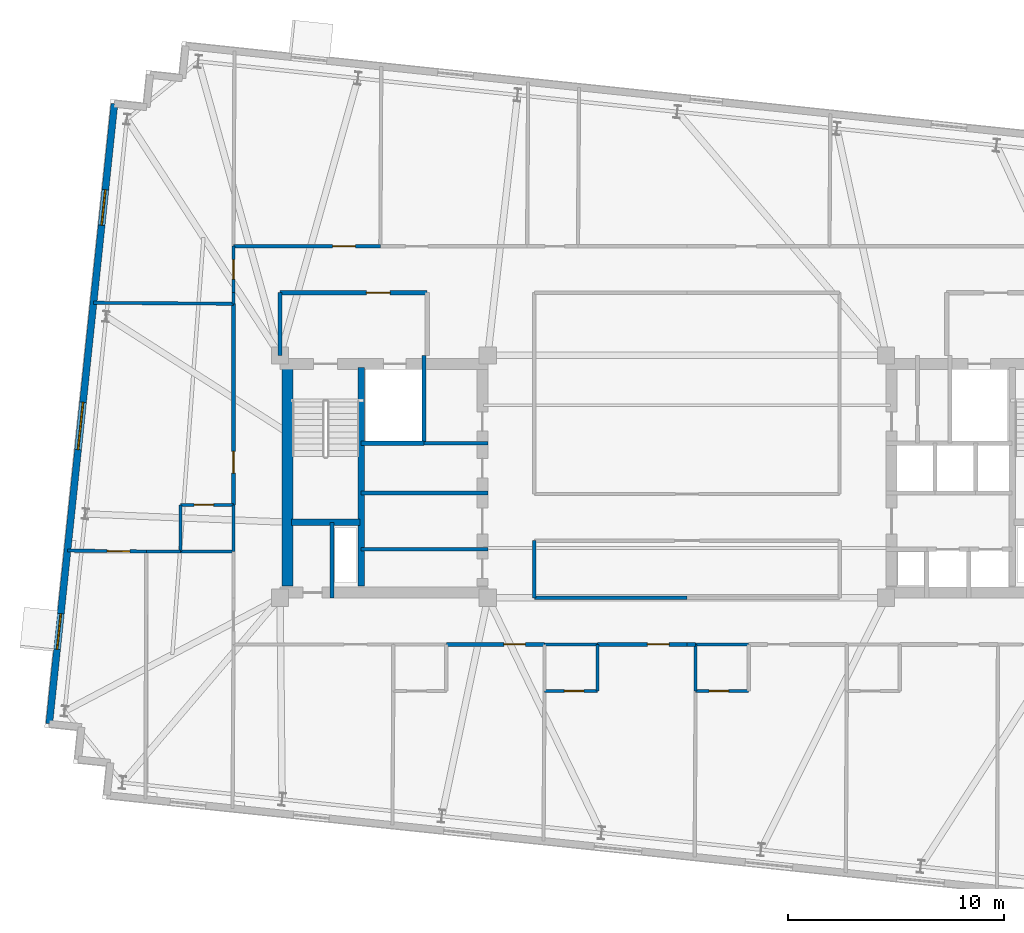
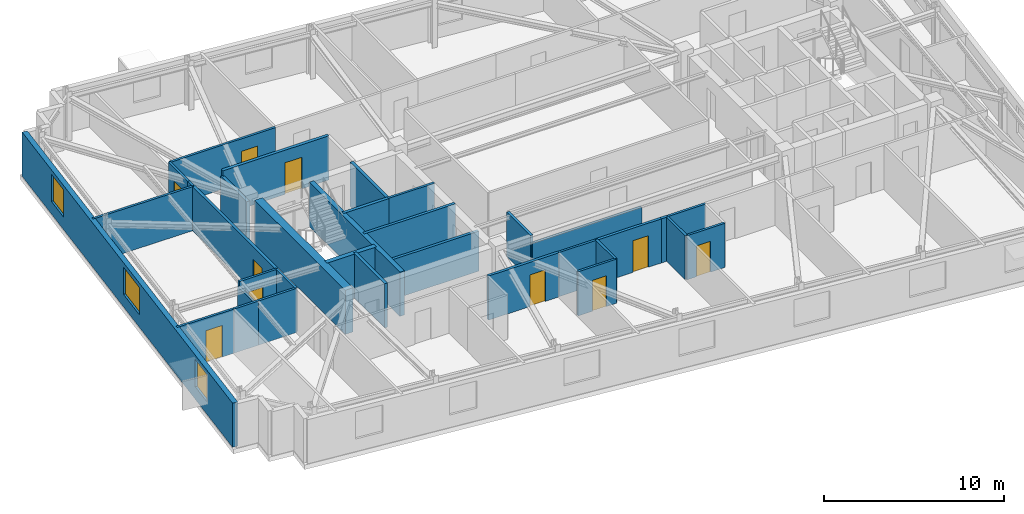
# One storey, part 6 of 11: 34 walls, 10 doors, 3 windows, 13 openings.
"""IFC4 building model written with IfcOpenShell, lengths in metres."""

from ifc_helpers import new_model, si_unit, direction, frame, frame_2d, origin, place, context, subcontext, project, spatial, rectangle, extrude, material, layer, layer_set, type_object, element, fill, save


model = new_model("IFC4")

# Units and contexts
model_context = context("Model", 3, precision=1e-05, world=origin(), true_north=direction((0.0, 1.0)))
body_context = subcontext(model_context, "Body", "Model", "MODEL_VIEW")
ifc_project = project(units=[si_unit("LENGTHUNIT", "METRE"), si_unit("AREAUNIT", "SQUARE_METRE"), si_unit("VOLUMEUNIT", "CUBIC_METRE"), si_unit("PLANEANGLEUNIT", "RADIAN"), si_unit("MASSUNIT", "GRAM", prefix="KILO")], contexts=[model_context])

# Site, building, storey
site_placement = place(None, origin())
site = spatial("IfcSite", under=ifc_project, at=site_placement, CompositionType="ELEMENT")
building_placement = place(site_placement, origin())
building = spatial("IfcBuilding", under=site, at=building_placement, Name="Qobustan Lattice House", CompositionType="ELEMENT")
storey_placement = place(building_placement, frame((0.0, 0.0, 219.85009765625)))
storey = spatial("IfcBuildingStorey", under=building, at=storey_placement, Name="L62", CompositionType="ELEMENT", Elevation=219.85009765625)

# Walls
ifc_material_1 = material(Name="Concrete C50/60", Category="concrete")
ifc_layer_1 = layer(ifc_material_1, 0.5)
ifc_layer_set_1 = layer_set([ifc_layer_1], Name="Concrete C50/60")
wall_type_1 = type_object("IfcWallType", Name="WAL-CORE-500", PredefinedType="SHEAR", material=ifc_layer_set_1)
wall_1_placement = place(storey_placement, frame((-18.4599609375, -5.050048828125, 0.0), z_axis=(0.0, 0.0, 1.0), x_axis=(0.0, 1.0, 0.0)))
element("IfcWall", 1, at=wall_1_placement, inside=storey, type_object=wall_type_1, Name="L62 split-core shear wall CW-W", PredefinedType="SHEAR", context=body_context, shape_type="SweptSolid", body=[
    extrude(rectangle(XDim=10.10009765625, YDim=0.5, at=frame_2d((5.050048828125, 0.0))), origin(), (0.0, 0.0, 1.0), 3.0),
])
ifc_material_2 = material(Name="Concrete C50/60", Category="concrete")
ifc_layer_2 = layer(ifc_material_2, 0.280029296875)
ifc_layer_set_2 = layer_set([ifc_layer_2], Name="Concrete C50/60")
wall_type_2 = type_object("IfcWallType", Name="WAL-CORE-SPINE-280", PredefinedType="SHEAR", material=ifc_layer_set_2)
wall_2_placement = place(storey_placement, frame((-15.050048828125, -5.050048828125, 0.0), z_axis=(0.0, 0.0, 1.0), x_axis=(0.0, 1.0, 0.0)))
element("IfcWall", 2, at=wall_2_placement, inside=storey, type_object=wall_type_2, Name="L62 split-core shear wall CW-M", PredefinedType="SHEAR", context=body_context, shape_type="SweptSolid", body=[
    extrude(rectangle(XDim=10.10009765625, YDim=0.300048828125, at=frame_2d((5.050048828125, 0.0))), origin(), (0.0, 0.0, 1.0), 3.0),
])
wall_3_placement = place(storey_placement, frame((-18.280029296875, -2.110107421875, 0.0), z_axis=(0.0, 0.0, 1.0), x_axis=(1.0, 0.0, 0.0)))
element("IfcWall", 3, at=wall_3_placement, inside=storey, type_object=wall_type_2, Name="L62 split-core shear wall CW-ST", PredefinedType="SHEAR", context=body_context, shape_type="SweptSolid", body=[
    extrude(rectangle(XDim=3.179931640625, YDim=0.300048828125, at=frame_2d((1.58984375, 0.0))), origin(), (0.0, 0.0, 1.0), 3.0),
])

# Wall, openings, windows
ifc_material_3 = material(Name="Precast concrete C40/50", Category="concrete")
ifc_layer_3 = layer(ifc_material_3, 0.320068359375)
ifc_layer_set_3 = layer_set([ifc_layer_3], Name="Precast concrete C40/50")
wall_type_3 = type_object("IfcWallType", Name="WAL-EXT-STONE-320", PredefinedType="SOLIDWALL", material=ifc_layer_set_3)
wall_4_placement = place(storey_placement, frame((-29.46337890625, -11.413818359375, 0.0), z_axis=(0.0, 0.0, 1.0), x_axis=(0.104530779244, 0.994521651947, 0.0)))
wall_4 = element("IfcWall", 4, at=wall_4_placement, inside=storey, type_object=wall_type_3, Name="L62 exterior limestone-clad wall 5", PredefinedType="SOLIDWALL", context=body_context, shape_type="SweptSolid", body=[
    extrude(rectangle(XDim=28.800048828125, YDim=0.320068359375, at=frame_2d((14.39990234375, 0.0))), origin(), (0.0, 0.0, 1.0), 3.0),
])
opening_1_placement = place(wall_4_placement, frame((3.466796875, 0.0, 0.85009765625)))
opening_1 = element("IfcOpeningElement", 5, at=opening_1_placement, cuts=wall_4, Name="Opening WN-09", PredefinedType="OPENING", context=body_context, shape_type="SweptSolid", body=[
    extrude(rectangle(XDim=1.64990234375, YDim=1.85009765625, at=frame_2d((0.824951171875, 0.925048828125))), frame((0.0, 0.169921875, 0.0), z_axis=(0.0, -1.0, 0.0), x_axis=(1.0, 0.0, 0.0)), (0.0, 0.0, 1.0), 0.340087890625),
])
opening_2_placement = place(wall_4_placement, frame((12.73828125, 0.0, 0.85009765625)))
opening_2 = element("IfcOpeningElement", 6, at=opening_2_placement, cuts=wall_4, Name="Opening WN-03", PredefinedType="OPENING", context=body_context, shape_type="SweptSolid", body=[
    extrude(rectangle(XDim=2.199951171875, YDim=1.85009765625, at=frame_2d((1.10009765625, 0.925048828125))), frame((0.0, 0.169921875, 0.0), z_axis=(0.0, -1.0, 0.0), x_axis=(1.0, 0.0, 0.0)), (0.0, 0.0, 1.0), 0.340087890625),
])
opening_3_placement = place(wall_4_placement, frame((23.16162109375, 0.0, 0.85009765625)))
opening_3 = element("IfcOpeningElement", 7, at=opening_3_placement, cuts=wall_4, Name="Opening WN-09", PredefinedType="OPENING", context=body_context, shape_type="SweptSolid", body=[
    extrude(rectangle(XDim=1.64990234375, YDim=1.85009765625, at=frame_2d((0.824951171875, 0.925048828125))), frame((0.0, 0.169921875, 0.0), z_axis=(0.0, -1.0, 0.0), x_axis=(1.0, 0.0, 0.0)), (0.0, 0.0, 1.0), 0.340087890625),
])
ifc_material_4 = material(Name="Double-glazed low-E aluminium window", Category="aluminium")
window_type_1 = type_object("IfcWindowType", Name="WIN-STU-1650x1850", PartitioningType="SINGLE_PANEL", PredefinedType="WINDOW", material=ifc_material_4)
window_1_placement = place(opening_1_placement, origin())
window_1 = element("IfcWindow", 8, at=window_1_placement, inside=storey, type_object=window_type_1, Name="L62 Focus study room W1A window", OverallHeight=1.85009765625, OverallWidth=1.64990234375, PartitioningType="SINGLE_PANEL", PredefinedType="WINDOW", context=body_context, shape_type="SweptSolid", body=[
    extrude(rectangle(XDim=1.64990234375, YDim=1.85009765625, at=frame_2d((0.824951171875, 0.925048828125))), frame((0.0, 0.030029296875, 0.0), z_axis=(0.0, -1.0, 0.0), x_axis=(1.0, 0.0, 0.0)), (0.0, 0.0, 1.0), 0.06005859375),
])
fill(opening_1, window_1)
window_2_placement = place(opening_3_placement, origin())
window_2 = element("IfcWindow", 9, at=window_2_placement, inside=storey, type_object=window_type_1, Name="L62 Focus study room W3 window", OverallHeight=1.85009765625, OverallWidth=1.64990234375, PartitioningType="SINGLE_PANEL", PredefinedType="WINDOW", context=body_context, shape_type="SweptSolid", body=[
    extrude(rectangle(XDim=1.64990234375, YDim=1.85009765625, at=frame_2d((0.824951171875, 0.925048828125))), frame((0.0, 0.030029296875, 0.0), z_axis=(0.0, -1.0, 0.0), x_axis=(1.0, 0.0, 0.0)), (0.0, 0.0, 1.0), 0.06005859375),
])
fill(opening_3, window_2)
ifc_material_5 = material(Name="Double-glazed low-E aluminium window", Category="aluminium")
window_type_2 = type_object("IfcWindowType", Name="WIN-WIDE-2200x1850", PartitioningType="SINGLE_PANEL", PredefinedType="WINDOW", material=ifc_material_5)
window_3_placement = place(opening_2_placement, origin())
window_3 = element("IfcWindow", 10, at=window_3_placement, inside=storey, type_object=window_type_2, Name="L62 Kitchenette and studio apartment L62-W2 window", OverallHeight=1.85009765625, OverallWidth=2.199951171875, PartitioningType="SINGLE_PANEL", PredefinedType="WINDOW", context=body_context, shape_type="SweptSolid", body=[
    extrude(rectangle(XDim=2.199951171875, YDim=1.85009765625, at=frame_2d((1.10009765625, 0.925048828125))), frame((0.0, 0.030029296875, 0.0), z_axis=(0.0, -1.0, 0.0), x_axis=(1.0, 0.0, 0.0)), (0.0, 0.0, 1.0), 0.06005859375),
])
fill(opening_2, window_3)

# Walls
ifc_material_6 = material(Name="Gypsum fireboard acoustic partition", Category="gypsum")
ifc_layer_4 = layer(ifc_material_6, 0.179931640625)
ifc_layer_set_4 = layer_set([ifc_layer_4], Name="Gypsum fireboard acoustic partition")
wall_type_4 = type_object("IfcWallType", Name="WAL-FIRE-180", PredefinedType="PARTITIONING", material=ifc_layer_set_4)
wall_5_placement = place(storey_placement, frame((-15.050048828125, -3.35009765625, 0.0), z_axis=(0.0, 0.0, 1.0), x_axis=(1.0, 0.0, 0.0)))
element("IfcWall", 11, at=wall_5_placement, inside=storey, type_object=wall_type_4, Name="L62 interior partition 8", PredefinedType="PARTITIONING", context=body_context, shape_type="SweptSolid", body=[
    extrude(rectangle(XDim=5.85009765625, YDim=0.179931640625, at=frame_2d((2.925048828125, 0.0))), origin(), (0.0, 0.0, 1.0), 2.71484375),
])
wall_6_placement = place(storey_placement, frame((-9.199951171875, -0.75, 0.0), z_axis=(0.0, 0.0, 1.0), x_axis=(-1.0, 0.0, 0.0)))
element("IfcWall", 12, at=wall_6_placement, inside=storey, type_object=wall_type_4, Name="L62 interior partition 9", PredefinedType="PARTITIONING", context=body_context, shape_type="SweptSolid", body=[
    extrude(rectangle(XDim=5.85009765625, YDim=0.179931640625, at=frame_2d((2.925048828125, 0.0))), origin(), (0.0, 0.0, 1.0), 3.0),
])

# Wall, opening, door
wall_7_placement = place(storey_placement, frame((-6.5830078125, -7.75, 0.0), z_axis=(0.0, 0.0, 1.0), x_axis=(-1.0, 0.0, 0.0)))
wall_7 = element("IfcWall", 13, at=wall_7_placement, inside=storey, type_object=wall_type_4, Name="L62 interior partition 43", PredefinedType="PARTITIONING", context=body_context, shape_type="SweptSolid", body=[
    extrude(rectangle(XDim=4.533935546875, YDim=0.179931640625, at=frame_2d((2.26708984375, 0.0))), origin(), (0.0, 0.0, 1.0), 3.0),
])
opening_4_placement = place(wall_7_placement, frame((0.876708984375, 0.0, 0.0)))
opening_4 = element("IfcOpeningElement", 14, at=opening_4_placement, cuts=wall_7, Name="Opening FD-02", PredefinedType="OPENING", context=body_context, shape_type="SweptSolid", body=[
    extrude(rectangle(XDim=1.0, YDim=2.14990234375, at=frame_2d((0.5, 1.074951171875))), frame((0.0, 0.099853515625, 0.0), z_axis=(0.0, -1.0, 0.0), x_axis=(1.0, 0.0, 0.0)), (0.0, 0.0, 1.0), 0.199951171875),
])
ifc_material_7 = material(Name="Persian walnut timber and steel frame door", Category="steel")
door_type_1 = type_object("IfcDoorType", Name="DOR-UNIT-FD-1000x2150", OperationType="NOTDEFINED", PredefinedType="DOOR", material=ifc_material_7)
door_1_placement = place(opening_4_placement, origin())
door_1 = element("IfcDoor", 15, at=door_1_placement, inside=storey, type_object=door_type_1, Name="L62 South-west floor corridor to Kitchenette and studio apartment L62-S2 door", OperationType="SINGLE_SWING_LEFT", OverallHeight=2.14990234375, OverallWidth=1.0, PredefinedType="DOOR", context=body_context, shape_type="SweptSolid", body=[
    extrude(rectangle(XDim=1.0, YDim=2.14990234375, at=frame_2d((0.5, 1.074951171875))), frame((0.0, 0.02490234375, 0.0), z_axis=(0.0, -1.0, 0.0), x_axis=(1.0, 0.0, 0.0)), (0.0, 0.0, 1.0), 0.050048828125),
])
fill(opening_4, door_1)

wall_8_placement = place(storey_placement, frame((0.0, -7.75, 0.0), z_axis=(0.0, 0.0, 1.0), x_axis=(-1.0, 0.0, 0.0)))
wall_8 = element("IfcWall", 16, at=wall_8_placement, inside=storey, type_object=wall_type_4, Name="L62 interior partition 45", PredefinedType="PARTITIONING", context=body_context, shape_type="SweptSolid", body=[
    extrude(rectangle(XDim=4.133056640625, YDim=0.179931640625, at=frame_2d((2.06640625, 0.0))), origin(), (0.0, 0.0, 1.0), 3.0),
])
opening_5_placement = place(wall_8_placement, frame((0.82666015625, 0.0, 0.0)))
opening_5 = element("IfcOpeningElement", 17, at=opening_5_placement, cuts=wall_8, Name="Opening FD-02", PredefinedType="OPENING", context=body_context, shape_type="SweptSolid", body=[
    extrude(rectangle(XDim=1.0, YDim=2.14990234375, at=frame_2d((0.5, 1.074951171875))), frame((0.0, 0.099853515625, 0.0), z_axis=(0.0, -1.0, 0.0), x_axis=(1.0, 0.0, 0.0)), (0.0, 0.0, 1.0), 0.199951171875),
])
door_2_placement = place(opening_5_placement, origin())
door_2 = element("IfcDoor", 18, at=door_2_placement, inside=storey, type_object=door_type_1, Name="L62 South-west floor corridor to Kitchenette and studio apartment L62-S3 door", OperationType="SINGLE_SWING_RIGHT", OverallHeight=2.14990234375, OverallWidth=1.0, PredefinedType="DOOR", context=body_context, shape_type="SweptSolid", body=[
    extrude(rectangle(XDim=1.0, YDim=2.14990234375, at=frame_2d((0.5, 1.074951171875))), frame((0.0, 0.02490234375, 0.0), z_axis=(0.0, -1.0, 0.0), x_axis=(1.0, 0.0, 0.0)), (0.0, 0.0, 1.0), 0.050048828125),
])
fill(opening_5, door_2)

# Wall
wall_9_placement = place(storey_placement, frame((0.39990234375, -7.75, 0.0), z_axis=(0.0, 0.0, 1.0), x_axis=(-1.0, 0.0, 0.0)))
element("IfcWall", 19, at=wall_9_placement, inside=storey, type_object=wall_type_4, Name="L62 interior partition 49", PredefinedType="PARTITIONING", context=body_context, shape_type="SweptSolid", body=[
    extrude(rectangle(XDim=0.39990234375, YDim=0.179931640625, at=frame_2d((0.199951171875, 0.0))), origin(), (0.0, 0.0, 1.0), 3.0),
])

# Wall, opening, door
wall_10_placement = place(storey_placement, frame((-20.949951171875, -1.305908203125, 0.0), z_axis=(0.0, 0.0, 1.0), x_axis=(0.0, 1.0, 0.0)))
wall_10 = element("IfcWall", 20, at=wall_10_placement, inside=storey, type_object=wall_type_4, Name="L62 interior partition 57", PredefinedType="PARTITIONING", context=body_context, shape_type="SweptSolid", body=[
    extrude(rectangle(XDim=9.2958984375, YDim=0.179931640625, at=frame_2d((4.64794921875, 0.0))), origin(), (0.0, 0.0, 1.0), 3.0),
])
opening_6_placement = place(wall_10_placement, frame((1.471923828125, 0.0, 0.0)))
opening_6 = element("IfcOpeningElement", 21, at=opening_6_placement, cuts=wall_10, Name="Opening FD-02", PredefinedType="OPENING", context=body_context, shape_type="SweptSolid", body=[
    extrude(rectangle(XDim=1.0, YDim=2.14990234375, at=frame_2d((0.5, 1.074951171875))), frame((0.0, 0.099853515625, 0.0), z_axis=(0.0, -1.0, 0.0), x_axis=(1.0, 0.0, 0.0)), (0.0, 0.0, 1.0), 0.199951171875),
])
door_3_placement = place(opening_6_placement, origin())
door_3 = element("IfcDoor", 22, at=door_3_placement, inside=storey, type_object=door_type_1, Name="L62 West wing spine gallery to Kitchenette and studio apartment L62-W2 door", OperationType="SINGLE_SWING_RIGHT", OverallHeight=2.14990234375, OverallWidth=1.0, PredefinedType="DOOR", context=body_context, shape_type="SweptSolid", body=[
    extrude(rectangle(XDim=1.0, YDim=2.14990234375, at=frame_2d((0.5, 1.074951171875))), frame((0.0, 0.02490234375, 0.0), z_axis=(0.0, -1.0, 0.0), x_axis=(1.0, 0.0, 0.0)), (0.0, 0.0, 1.0), 0.050048828125),
])
fill(opening_6, door_3)

# Wall
ifc_material_8 = material(Name="Acoustic twin-stud gypsum partition", Category="gypsum")
ifc_layer_5 = layer(ifc_material_8, 0.14990234375)
ifc_layer_set_5 = layer_set([ifc_layer_5], Name="Acoustic twin-stud gypsum partition")
wall_type_5 = type_object("IfcWallType", Name="WAL-PART-150", PredefinedType="PARTITIONING", material=ifc_layer_set_5)
wall_11_placement = place(storey_placement, frame((-12.14990234375, 1.550048828125, 0.0), z_axis=(0.0, 0.0, 1.0), x_axis=(1.0, 0.0, 0.0)))
element("IfcWall", 23, at=wall_11_placement, inside=storey, type_object=wall_type_5, Name="L62 interior partition 6", PredefinedType="PARTITIONING", context=body_context, shape_type="SweptSolid", body=[
    extrude(rectangle(XDim=2.949951171875, YDim=0.14990234375, at=frame_2d((1.47509765625, 0.0))), origin(), (0.0, 0.0, 1.0), 3.0),
])

# Wall, opening, door
wall_12_placement = place(storey_placement, frame((-20.949951171875, 8.5, 0.0), z_axis=(0.0, 0.0, 1.0), x_axis=(0.0, 1.0, 0.0)))
wall_12 = element("IfcWall", 24, at=wall_12_placement, inside=storey, type_object=wall_type_5, Name="L62 interior partition 31", PredefinedType="PARTITIONING", context=body_context, shape_type="SweptSolid", body=[
    extrude(rectangle(XDim=2.14990234375, YDim=0.14990234375, at=frame_2d((1.074951171875, 0.0))), origin(), (0.0, 0.0, 1.0), 3.0),
])
opening_7_placement = place(wall_12_placement, frame((0.625, 0.0, 0.0)))
opening_7 = element("IfcOpeningElement", 25, at=opening_7_placement, cuts=wall_12, Name="Opening WD-01", PredefinedType="OPENING", context=body_context, shape_type="SweptSolid", body=[
    extrude(rectangle(XDim=0.89990234375, YDim=2.10009765625, at=frame_2d((0.449951171875, 1.050048828125))), frame((0.0, 0.0849609375, 0.0), z_axis=(0.0, -1.0, 0.0), x_axis=(1.0, 0.0, 0.0)), (0.0, 0.0, 1.0), 0.169921875),
])
ifc_material_9 = material(Name="Persian walnut timber and steel frame door", Category="steel")
door_type_2 = type_object("IfcDoorType", Name="DOR-WET-900x2100", OperationType="NOTDEFINED", PredefinedType="DOOR", material=ifc_material_9)
door_4_placement = place(opening_7_placement, origin())
door_4 = element("IfcDoor", 26, at=door_4_placement, inside=storey, type_object=door_type_2, Name="L62 North-west floor corridor to Focus study room W3 door", OperationType="SINGLE_SWING_LEFT", OverallHeight=2.10009765625, OverallWidth=0.89990234375, PredefinedType="DOOR", context=body_context, shape_type="SweptSolid", body=[
    extrude(rectangle(XDim=0.89990234375, YDim=2.10009765625, at=frame_2d((0.449951171875, 1.050048828125))), frame((0.0, 0.02490234375, 0.0), z_axis=(0.0, -1.0, 0.0), x_axis=(1.0, 0.0, 0.0)), (0.0, 0.0, 1.0), 0.050048828125),
])
fill(opening_7, door_4)

wall_13_placement = place(storey_placement, frame((-20.949951171875, 10.64990234375, 0.0), z_axis=(0.0, 0.0, 1.0), x_axis=(1.0, 0.0, 0.0)))
wall_13 = element("IfcWall", 27, at=wall_13_placement, inside=storey, type_object=wall_type_5, Name="L62 interior partition 32", PredefinedType="PARTITIONING", context=body_context, shape_type="SweptSolid", body=[
    extrude(rectangle(XDim=6.783447265625, YDim=0.14990234375, at=frame_2d((3.3916015625, 0.0))), origin(), (0.0, 0.0, 1.0), 3.0),
])
opening_8_placement = place(wall_13_placement, frame((4.581787109375, 0.0, 0.0)))
opening_8 = element("IfcOpeningElement", 28, at=opening_8_placement, cuts=wall_13, Name="Opening ID-02", PredefinedType="OPENING", context=body_context, shape_type="SweptSolid", body=[
    extrude(rectangle(XDim=1.050048828125, YDim=2.14990234375, at=frame_2d((0.52490234375, 1.074951171875))), frame((0.0, 0.0849609375, 0.0), z_axis=(0.0, -1.0, 0.0), x_axis=(1.0, 0.0, 0.0)), (0.0, 0.0, 1.0), 0.169921875),
])
ifc_material_10 = material(Name="Persian walnut timber and steel frame door", Category="steel")
door_type_3 = type_object("IfcDoorType", Name="DOR-STUDY-1050x2150", OperationType="NOTDEFINED", PredefinedType="DOOR", material=ifc_material_10)
door_5_placement = place(opening_8_placement, origin())
door_5 = element("IfcDoor", 29, at=door_5_placement, inside=storey, type_object=door_type_3, Name="L62 North-west floor corridor to Focus study room N1A door", OperationType="SINGLE_SWING_RIGHT", OverallHeight=2.14990234375, OverallWidth=1.050048828125, PredefinedType="DOOR", context=body_context, shape_type="SweptSolid", body=[
    extrude(rectangle(XDim=1.050048828125, YDim=2.14990234375, at=frame_2d((0.52490234375, 1.074951171875))), frame((0.0, 0.02490234375, 0.0), z_axis=(0.0, -1.0, 0.0), x_axis=(1.0, 0.0, 0.0)), (0.0, 0.0, 1.0), 0.050048828125),
])
fill(opening_8, door_5)

# Wall
wall_14_placement = place(storey_placement, frame((-20.949951171875, 7.989990234375, 0.0), z_axis=(0.0, 0.0, 1.0), x_axis=(0.0, 1.0, 0.0)))
element("IfcWall", 30, at=wall_14_placement, inside=storey, type_object=wall_type_5, Name="L62 interior partition 59", PredefinedType="PARTITIONING", context=body_context, shape_type="SweptSolid", body=[
    extrude(rectangle(XDim=0.510009765625, YDim=0.14990234375, at=frame_2d((0.2548828125, 0.0))), origin(), (0.0, 0.0, 1.0), 3.0),
])

# Wall, opening, door
wall_15_placement = place(storey_placement, frame((-28.622314453125, -3.412109375, 0.0), z_axis=(0.0, 0.0, 1.0), x_axis=(0.999927389555, -0.01205054433, 0.0)))
wall_15 = element("IfcWall", 31, at=wall_15_placement, inside=storey, type_object=wall_type_5, Name="L62 interior partition 69", PredefinedType="PARTITIONING", context=body_context, shape_type="SweptSolid", body=[
    extrude(rectangle(XDim=3.646728515625, YDim=0.14990234375, at=frame_2d((1.8232421875, 0.0))), origin(), (0.0, 0.0, 1.0), 3.0),
])
opening_9_placement = place(wall_15_placement, frame((1.837158203125, 0.0, 0.0)))
opening_9 = element("IfcOpeningElement", 32, at=opening_9_placement, cuts=wall_15, Name="Opening ID-02", PredefinedType="OPENING", context=body_context, shape_type="SweptSolid", body=[
    extrude(rectangle(XDim=1.050048828125, YDim=2.14990234375, at=frame_2d((0.52490234375, 1.074951171875))), frame((0.0, 0.0849609375, 0.0), z_axis=(0.0, -1.0, 0.0), x_axis=(1.0, 0.0, 0.0)), (0.0, 0.0, 1.0), 0.169921875),
])
door_6_placement = place(opening_9_placement, origin())
door_6 = element("IfcDoor", 33, at=door_6_placement, inside=storey, type_object=door_type_3, Name="L62 Focus study room W1A to Kitchenette and studio apartment L62-W2 door", OperationType="SINGLE_SWING_LEFT", OverallHeight=2.14990234375, OverallWidth=1.050048828125, PredefinedType="DOOR", context=body_context, shape_type="SweptSolid", body=[
    extrude(rectangle(XDim=1.050048828125, YDim=2.14990234375, at=frame_2d((0.52490234375, 1.074951171875))), frame((0.0, 0.02490234375, 0.0), z_axis=(0.0, -1.0, 0.0), x_axis=(1.0, 0.0, 0.0)), (0.0, 0.0, 1.0), 0.050048828125),
])
fill(opening_9, door_6)

# Walls
wall_16_placement = place(storey_placement, frame((-24.975830078125, -3.4560546875, 0.0), z_axis=(0.0, 0.0, 1.0), x_axis=(1.0, 0.0, 0.0)))
element("IfcWall", 34, at=wall_16_placement, inside=storey, type_object=wall_type_5, Name="L62 interior partition 70", PredefinedType="PARTITIONING", context=body_context, shape_type="SweptSolid", body=[
    extrude(rectangle(XDim=1.575927734375, YDim=0.14990234375, at=frame_2d((0.7880859375, 0.0))), origin(), (0.0, 0.0, 1.0), 3.0),
])
wall_17_placement = place(storey_placement, frame((-27.419189453125, 8.033935546875, 0.0), z_axis=(0.0, 0.0, 1.0), x_axis=(0.999976928608, -0.006792808784, 0.0)))
element("IfcWall", 35, at=wall_17_placement, inside=storey, type_object=wall_type_5, Name="L62 interior partition 75", PredefinedType="PARTITIONING", context=body_context, shape_type="SweptSolid", body=[
    extrude(rectangle(XDim=6.469482421875, YDim=0.14990234375, at=frame_2d((3.23486328125, 0.0))), origin(), (0.0, 0.0, 1.0), 3.0),
])
ifc_material_11 = material(Name="High-mass acoustic twin-stud partition", Category="gypsum")
ifc_layer_6 = layer(ifc_material_11, 0.1650390625)
ifc_layer_set_6 = layer_set([ifc_layer_6], Name="High-mass acoustic twin-stud partition")
wall_type_6 = type_object("IfcWallType", Name="WAL-PART-165", PredefinedType="PARTITIONING", material=ifc_layer_set_6)
wall_18_placement = place(storey_placement, frame((-7.050048828125, -5.60009765625, 0.0), z_axis=(0.0, 0.0, 1.0), x_axis=(1.0, 0.0, 0.0)))
element("IfcWall", 36, at=wall_18_placement, inside=storey, type_object=wall_type_6, Name="L62 interior partition 47", PredefinedType="PARTITIONING", context=body_context, shape_type="SweptSolid", body=[
    extrude(rectangle(XDim=7.050048828125, YDim=0.1650390625, at=frame_2d((3.52490234375, 0.0))), origin(), (0.0, 0.0, 1.0), 2.48486328125),
])
wall_19_placement = place(storey_placement, frame((-7.050048828125, -2.949951171875, 0.0), z_axis=(0.0, 0.0, 1.0), x_axis=(0.0, -1.0, 0.0)))
element("IfcWall", 37, at=wall_19_placement, inside=storey, type_object=wall_type_6, Name="L62 interior partition 65", PredefinedType="PARTITIONING", context=body_context, shape_type="SweptSolid", body=[
    extrude(rectangle(XDim=2.650146484375, YDim=0.1650390625, at=frame_2d((1.3251953125, 0.0))), origin(), (0.0, 0.0, 1.0), 3.0),
])

# Wall, opening, door
ifc_material_12 = material(Name="Two-hour gypsum fireboard acoustic partition", Category="gypsum")
ifc_layer_7 = layer(ifc_material_12, 0.199951171875)
ifc_layer_set_7 = layer_set([ifc_layer_7], Name="Two-hour gypsum fireboard acoustic partition")
wall_type_7 = type_object("IfcWallType", Name="WAL-PROT-200", PredefinedType="PARTITIONING", material=ifc_layer_set_7)
wall_20_placement = place(storey_placement, frame((-12.0, 8.5, 0.0), z_axis=(0.0, 0.0, 1.0), x_axis=(-1.0, 0.0, 0.0)))
wall_20 = element("IfcWall", 38, at=wall_20_placement, inside=storey, type_object=wall_type_7, Name="L62 interior partition 3", PredefinedType="PARTITIONING", context=body_context, shape_type="SweptSolid", body=[
    extrude(rectangle(XDim=6.800048828125, YDim=0.199951171875, at=frame_2d((3.39990234375, 0.0))), origin(), (0.0, 0.0, 1.0), 3.0),
])
opening_10_placement = place(wall_20_placement, frame((1.715087890625, 0.0, 0.0)))
opening_10 = element("IfcOpeningElement", 39, at=opening_10_placement, cuts=wall_20, Name="Opening SD-01", PredefinedType="OPENING", context=body_context, shape_type="SweptSolid", body=[
    extrude(rectangle(XDim=1.10009765625, YDim=2.14990234375, at=frame_2d((0.550048828125, 1.074951171875))), frame((0.0, 0.10986328125, 0.0), z_axis=(0.0, -1.0, 0.0), x_axis=(1.0, 0.0, 0.0)), (0.0, 0.0, 1.0), 0.219970703125),
])
ifc_material_13 = material(Name="Persian walnut timber and steel frame door", Category="steel")
door_type_4 = type_object("IfcDoorType", Name="DOR-STAIR-FD-1100x2150", OperationType="NOTDEFINED", PredefinedType="DOOR", material=ifc_material_13)
door_7_placement = place(opening_10_placement, origin())
door_7 = element("IfcDoor", 40, at=door_7_placement, inside=storey, type_object=door_type_4, Name="L62 West firefighting lift lobby to North-west floor corridor door", OperationType="SINGLE_SWING_RIGHT", OverallHeight=2.14990234375, OverallWidth=1.10009765625, PredefinedType="DOOR", context=body_context, shape_type="SweptSolid", body=[
    extrude(rectangle(XDim=1.10009765625, YDim=2.14990234375, at=frame_2d((0.550048828125, 1.074951171875))), frame((0.0, 0.02490234375, 0.0), z_axis=(0.0, -1.0, 0.0), x_axis=(1.0, 0.0, 0.0)), (0.0, 0.0, 1.0), 0.050048828125),
])
fill(opening_10, door_7)

# Walls
wall_21_placement = place(storey_placement, frame((-18.800048828125, 8.5, 0.0), z_axis=(0.0, 0.0, 1.0), x_axis=(0.0, -1.0, 0.0)))
element("IfcWall", 41, at=wall_21_placement, inside=storey, type_object=wall_type_7, Name="L62 interior partition 4", PredefinedType="PARTITIONING", context=body_context, shape_type="SweptSolid", body=[
    extrude(rectangle(XDim=2.89990234375, YDim=0.199951171875, at=frame_2d((1.449951171875, 0.0))), origin(), (0.0, 0.0, 1.0), 2.625),
])
ifc_material_14 = material(Name="Concrete C40/50", Category="concrete")
ifc_layer_8 = layer(ifc_material_14, 0.199951171875)
ifc_layer_set_8 = layer_set([ifc_layer_8], Name="Concrete C40/50")
wall_type_8 = type_object("IfcWallType", Name="WAL-SHAFT-200", PredefinedType="PARTITIONING", material=ifc_layer_set_8)
wall_22_placement = place(storey_placement, frame((-16.39990234375, -5.60009765625, 0.0), z_axis=(0.0, 0.0, 1.0), x_axis=(0.0, 1.0, 0.0)))
element("IfcWall", 42, at=wall_22_placement, inside=storey, type_object=wall_type_8, Name="L62 interior partition 1", PredefinedType="PARTITIONING", context=body_context, shape_type="SweptSolid", body=[
    extrude(rectangle(XDim=3.489990234375, YDim=0.199951171875, at=frame_2d((1.7451171875, 0.0))), origin(), (0.0, 0.0, 1.0), 3.0),
])
wall_23_placement = place(storey_placement, frame((-12.14990234375, 1.550048828125, 0.0), z_axis=(0.0, 0.0, 1.0), x_axis=(0.0, 1.0, 0.0)))
element("IfcWall", 43, at=wall_23_placement, inside=storey, type_object=wall_type_8, Name="L62 interior partition 2", PredefinedType="PARTITIONING", context=body_context, shape_type="SweptSolid", body=[
    extrude(rectangle(XDim=4.050048828125, YDim=0.199951171875, at=frame_2d((2.02490234375, 0.0))), origin(), (0.0, 0.0, 1.0), 3.0),
])
wall_24_placement = place(storey_placement, frame((-15.050048828125, 1.550048828125, 0.0), z_axis=(0.0, 0.0, 1.0), x_axis=(1.0, 0.0, 0.0)))
element("IfcWall", 44, at=wall_24_placement, inside=storey, type_object=wall_type_8, Name="L62 interior partition 101", PredefinedType="PARTITIONING", context=body_context, shape_type="SweptSolid", body=[
    extrude(rectangle(XDim=2.900146484375, YDim=0.199951171875, at=frame_2d((1.4501953125, 0.0))), origin(), (0.0, 0.0, 1.0), 3.0),
])
ifc_material_15 = material(Name="Moisture-resistant acoustic plumbing wall", Category="gypsum")
ifc_layer_9 = layer(ifc_material_15, 0.14990234375)
ifc_layer_set_9 = layer_set([ifc_layer_9], Name="Moisture-resistant acoustic plumbing wall")
wall_type_9 = type_object("IfcWallType", Name="WAL-WET-150", PredefinedType="PLUMBINGWALL", material=ifc_layer_set_9)
wall_25_placement = place(storey_placement, frame((-4.133056640625, -7.75, 0.0), z_axis=(0.0, 0.0, 1.0), x_axis=(-1.0, 0.0, 0.0)))
element("IfcWall", 45, at=wall_25_placement, inside=storey, type_object=wall_type_9, Name="L62 interior partition 46", PredefinedType="PLUMBINGWALL", context=body_context, shape_type="SweptSolid", body=[
    extrude(rectangle(XDim=2.449951171875, YDim=0.14990234375, at=frame_2d((1.22509765625, 0.0))), origin(), (0.0, 0.0, 1.0), 3.0),
])
wall_26_placement = place(storey_placement, frame((2.85009765625, -7.75, 0.0), z_axis=(0.0, 0.0, 1.0), x_axis=(-1.0, 0.0, 0.0)))
element("IfcWall", 46, at=wall_26_placement, inside=storey, type_object=wall_type_9, Name="L62 interior partition 51", PredefinedType="PLUMBINGWALL", context=body_context, shape_type="SweptSolid", body=[
    extrude(rectangle(XDim=2.4501953125, YDim=0.14990234375, at=frame_2d((1.22509765625, 0.0))), origin(), (0.0, 0.0, 1.0), 3.0),
])
wall_27_placement = place(storey_placement, frame((-20.949951171875, -3.4560546875, 0.0), z_axis=(0.0, 0.0, 1.0), x_axis=(0.0, 1.0, 0.0)))
element("IfcWall", 47, at=wall_27_placement, inside=storey, type_object=wall_type_9, Name="L62 interior partition 58", PredefinedType="PLUMBINGWALL", context=body_context, shape_type="SweptSolid", body=[
    extrude(rectangle(XDim=2.150146484375, YDim=0.14990234375, at=frame_2d((1.0751953125, 0.0))), origin(), (0.0, 0.0, 1.0), 3.0),
])
wall_28_placement = place(storey_placement, frame((-23.39990234375, -3.4560546875, 0.0), z_axis=(0.0, 0.0, 1.0), x_axis=(1.0, 0.0, 0.0)))
element("IfcWall", 48, at=wall_28_placement, inside=storey, type_object=wall_type_9, Name="L62 interior partition 71", PredefinedType="PLUMBINGWALL", context=body_context, shape_type="SweptSolid", body=[
    extrude(rectangle(XDim=2.449951171875, YDim=0.14990234375, at=frame_2d((1.22509765625, 0.0))), origin(), (0.0, 0.0, 1.0), 3.0),
])

# Wall, opening, door
wall_29_placement = place(storey_placement, frame((-20.949951171875, -1.305908203125, 0.0), z_axis=(0.0, 0.0, 1.0), x_axis=(-1.0, 0.0, 0.0)))
wall_29 = element("IfcWall", 49, at=wall_29_placement, inside=storey, type_object=wall_type_9, Name="L62 interior partition 73", PredefinedType="PLUMBINGWALL", context=body_context, shape_type="SweptSolid", body=[
    extrude(rectangle(XDim=2.449951171875, YDim=0.14990234375, at=frame_2d((1.22509765625, 0.0))), origin(), (0.0, 0.0, 1.0), 3.0),
])
opening_11_placement = place(wall_29_placement, frame((0.921142578125, 0.0, 0.0)))
opening_11 = element("IfcOpeningElement", 50, at=opening_11_placement, cuts=wall_29, Name="Opening WD-01", PredefinedType="OPENING", context=body_context, shape_type="SweptSolid", body=[
    extrude(rectangle(XDim=0.89990234375, YDim=2.10009765625, at=frame_2d((0.449951171875, 1.050048828125))), frame((0.0, 0.0849609375, 0.0), z_axis=(0.0, -1.0, 0.0), x_axis=(1.0, 0.0, 0.0)), (0.0, 0.0, 1.0), 0.169921875),
])
door_8_placement = place(opening_11_placement, origin())
door_8 = element("IfcDoor", 51, at=door_8_placement, inside=storey, type_object=door_type_2, Name="L62 Kitchenette and studio apartment L62-W2 to En-suite bathroom L62-W2 door", OperationType="SINGLE_SWING_RIGHT", OverallHeight=2.10009765625, OverallWidth=0.89990234375, PredefinedType="DOOR", context=body_context, shape_type="SweptSolid", body=[
    extrude(rectangle(XDim=0.89990234375, YDim=2.10009765625, at=frame_2d((0.449951171875, 1.050048828125))), frame((0.0, 0.02490234375, 0.0), z_axis=(0.0, -1.0, 0.0), x_axis=(1.0, 0.0, 0.0)), (0.0, 0.0, 1.0), 0.050048828125),
])
fill(opening_11, door_8)

# Wall
wall_30_placement = place(storey_placement, frame((-23.39990234375, -1.305908203125, 0.0), z_axis=(0.0, 0.0, 1.0), x_axis=(0.0, -1.0, 0.0)))
element("IfcWall", 52, at=wall_30_placement, inside=storey, type_object=wall_type_9, Name="L62 interior partition 74", PredefinedType="PLUMBINGWALL", context=body_context, shape_type="SweptSolid", body=[
    extrude(rectangle(XDim=2.150146484375, YDim=0.14990234375, at=frame_2d((1.0751953125, 0.0))), origin(), (0.0, 0.0, 1.0), 2.65478515625),
])

# Wall, opening, door
wall_31_placement = place(storey_placement, frame((-6.5830078125, -9.89990234375, 0.0), z_axis=(0.0, 0.0, 1.0), x_axis=(1.0, 0.0, 0.0)))
wall_31 = element("IfcWall", 53, at=wall_31_placement, inside=storey, type_object=wall_type_9, Name="L62 interior partition 90", PredefinedType="PLUMBINGWALL", context=body_context, shape_type="SweptSolid", body=[
    extrude(rectangle(XDim=2.449951171875, YDim=0.14990234375, at=frame_2d((1.22509765625, 0.0))), origin(), (0.0, 0.0, 1.0), 3.0),
])
opening_12_placement = place(wall_31_placement, frame((0.92138671875, 0.0, 0.0)))
opening_12 = element("IfcOpeningElement", 54, at=opening_12_placement, cuts=wall_31, Name="Opening WD-01", PredefinedType="OPENING", context=body_context, shape_type="SweptSolid", body=[
    extrude(rectangle(XDim=0.89990234375, YDim=2.10009765625, at=frame_2d((0.449951171875, 1.050048828125))), frame((0.0, 0.0849609375, 0.0), z_axis=(0.0, -1.0, 0.0), x_axis=(1.0, 0.0, 0.0)), (0.0, 0.0, 1.0), 0.169921875),
])
door_9_placement = place(opening_12_placement, origin())
door_9 = element("IfcDoor", 55, at=door_9_placement, inside=storey, type_object=door_type_2, Name="L62 Kitchenette and studio apartment L62-S3 to En-suite bathroom L62-S3 door", OperationType="SINGLE_SWING_RIGHT", OverallHeight=2.10009765625, OverallWidth=0.89990234375, PredefinedType="DOOR", context=body_context, shape_type="SweptSolid", body=[
    extrude(rectangle(XDim=0.89990234375, YDim=2.10009765625, at=frame_2d((0.449951171875, 1.050048828125))), frame((0.0, 0.02490234375, 0.0), z_axis=(0.0, -1.0, 0.0), x_axis=(1.0, 0.0, 0.0)), (0.0, 0.0, 1.0), 0.050048828125),
])
fill(opening_12, door_9)

# Walls
for number, where, z_axis, x_axis, name in (
    (56, (-4.133056640625, -9.89990234375, 0.0), (0.0, 0.0, 1.0), (0.0, 1.0, 0.0), "L62 interior partition 91"),
    (57, (0.39990234375, -7.75, 0.0), (0.0, 0.0, 1.0), (0.0, -1.0, 0.0), "L62 interior partition 93"),
):
    element("IfcWall", number, at=place(storey_placement, frame(where, z_axis=z_axis, x_axis=x_axis)), inside=storey, type_object=wall_type_9, Name=name, PredefinedType="PLUMBINGWALL", context=body_context, shape_type="SweptSolid", body=[
        extrude(rectangle(XDim=2.14990234375, YDim=0.14990234375, at=frame_2d((1.074951171875, 0.0))), origin(), (0.0, 0.0, 1.0), 3.0),
    ])

# Wall, opening, door
wall_32_placement = place(storey_placement, frame((0.39990234375, -9.89990234375, 0.0), z_axis=(0.0, 0.0, 1.0), x_axis=(1.0, 0.0, 0.0)))
wall_32 = element("IfcWall", 58, at=wall_32_placement, inside=storey, type_object=wall_type_9, Name="L62 interior partition 94", PredefinedType="PLUMBINGWALL", context=body_context, shape_type="SweptSolid", body=[
    extrude(rectangle(XDim=2.4501953125, YDim=0.14990234375, at=frame_2d((1.22509765625, 0.0))), origin(), (0.0, 0.0, 1.0), 3.0),
])
opening_13_placement = place(wall_32_placement, frame((0.62890625, 0.0, 0.0)))
opening_13 = element("IfcOpeningElement", 59, at=opening_13_placement, cuts=wall_32, Name="Opening WD-01", PredefinedType="OPENING", context=body_context, shape_type="SweptSolid", body=[
    extrude(rectangle(XDim=0.89990234375, YDim=2.10009765625, at=frame_2d((0.449951171875, 1.050048828125))), frame((0.0, 0.0849609375, 0.0), z_axis=(0.0, -1.0, 0.0), x_axis=(1.0, 0.0, 0.0)), (0.0, 0.0, 1.0), 0.169921875),
])
door_10_placement = place(opening_13_placement, origin())
door_10 = element("IfcDoor", 60, at=door_10_placement, inside=storey, type_object=door_type_2, Name="L62 Kitchenette and studio apartment L62-S4 to En-suite bathroom L62-S4 door", OperationType="SINGLE_SWING_LEFT", OverallHeight=2.10009765625, OverallWidth=0.89990234375, PredefinedType="DOOR", context=body_context, shape_type="SweptSolid", body=[
    extrude(rectangle(XDim=0.89990234375, YDim=2.10009765625, at=frame_2d((0.449951171875, 1.050048828125))), frame((0.0, 0.02490234375, 0.0), z_axis=(0.0, -1.0, 0.0), x_axis=(1.0, 0.0, 0.0)), (0.0, 0.0, 1.0), 0.050048828125),
])
fill(opening_13, door_10)

save(model, "model.ifc")
